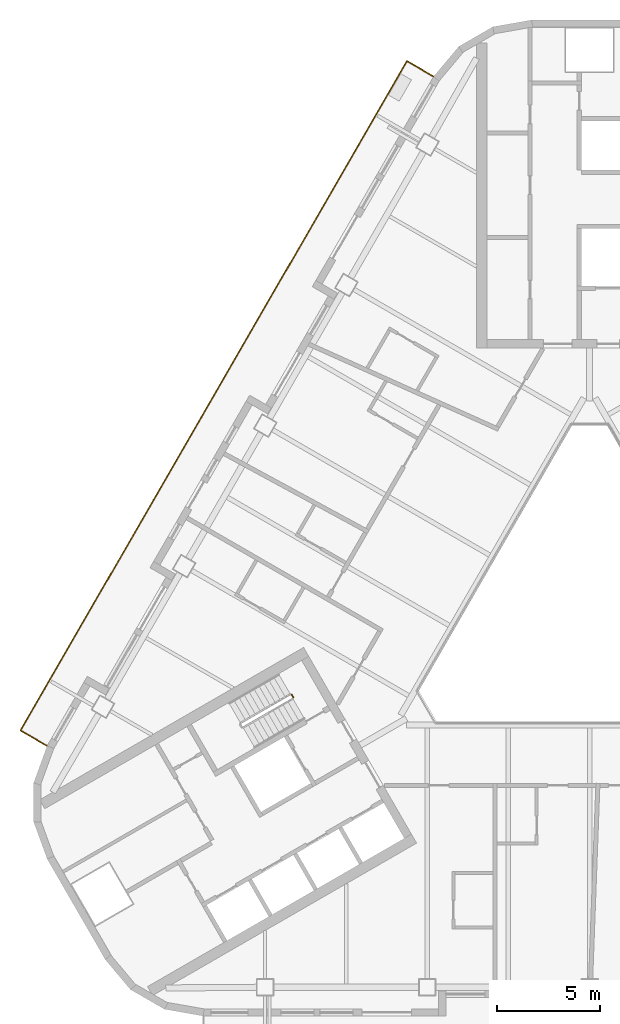
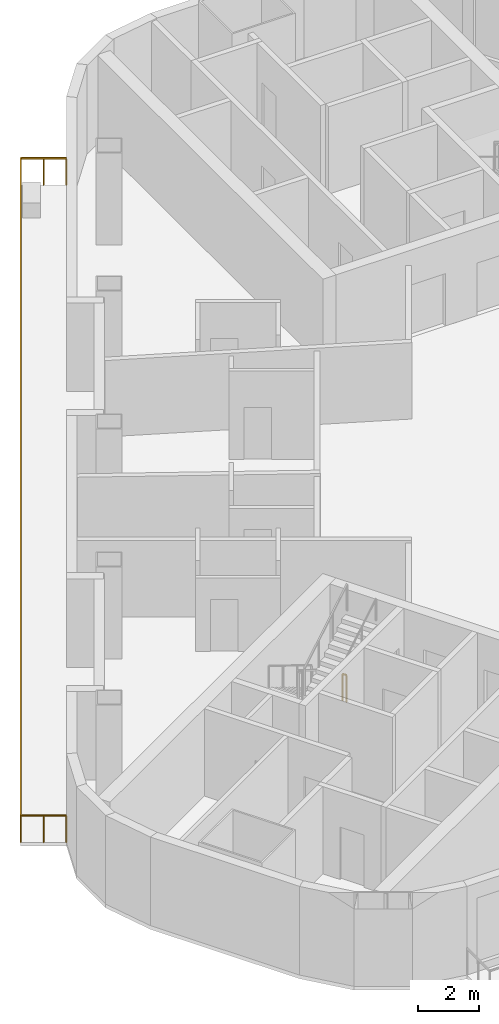
# One storey, part 11 of 14: 2 railings.
"""IFC4 building model written with IfcOpenShell, lengths in metres."""

from ifc_helpers import new_model, si_unit, direction, frame, origin, origin_2d, place, context, subcontext, project, spatial, rectangle, extrude, material, type_object, element, save


model = new_model("IFC4")

# Units and contexts
model_context = context("Model", 3, precision=1e-05, world=origin(), true_north=direction((0.0, 1.0)))
body_context = subcontext(model_context, "Body", "Model", "MODEL_VIEW")
ifc_project = project(units=[si_unit("LENGTHUNIT", "METRE"), si_unit("AREAUNIT", "SQUARE_METRE"), si_unit("VOLUMEUNIT", "CUBIC_METRE"), si_unit("PLANEANGLEUNIT", "RADIAN"), si_unit("MASSUNIT", "GRAM", prefix="KILO")], contexts=[model_context])

# Site, building, storey
site_placement = place(None, origin())
site = spatial("IfcSite", under=ifc_project, at=site_placement, CompositionType="ELEMENT")
building_placement = place(site_placement, origin())
building = spatial("IfcBuilding", under=site, at=building_placement, Name="Apuvela Tower Hotel", CompositionType="ELEMENT")
storey_placement = place(building_placement, frame((0.0, 0.0, 157.699951171875)))
storey = spatial("IfcBuildingStorey", under=building, at=storey_placement, Name="L37", CompositionType="ELEMENT", Elevation=157.699951171875)

# Railings
ifc_material_1 = material(Name="Steel S275 balustrade", Category="steel")
railing_type_1 = type_object("IfcRailingType", Name="COR-GUARD-1100", PredefinedType="GUARDRAIL", material=ifc_material_1)
railing_1_placement = place(storey_placement, frame((-14.500732421875, -3.984130859375, 0.0)))
element("IfcRailing", 1, at=railing_1_placement, inside=storey, type_object=railing_type_1, Name="L37 ST2 stair guard 4", PredefinedType="GUARDRAIL", context=body_context, shape_type="SweptSolid", body=[
    extrude(rectangle(XDim=0.048095703125, YDim=0.048095703125, at=origin_2d()), frame((0.0, 0.0, 1.076171875), z_axis=(0.499816412211, -0.866131372301, 0.0), x_axis=(0.866131372301, 0.499816412211, 0.0)), (0.0, 0.0, 1.0), 0.14990234375),
    extrude(rectangle(XDim=0.0419921875, YDim=0.0419921875, at=origin_2d()), origin(), (0.0, 0.0, 1.0), 1.052001953125),
    extrude(rectangle(XDim=0.0419921875, YDim=0.0419921875, at=origin_2d()), frame((0.074951171875, -0.1298828125, 0.0)), (0.0, 0.0, 1.0), 1.052001953125),
])
ifc_material_2 = material(Name="Stainless steel 316 rail with laminated glass infill", Category="steel")
railing_type_2 = type_object("IfcRailingType", Name="ENV-GUARD-1100", PredefinedType="GUARDRAIL", material=ifc_material_2)
railing_2_placement = place(storey_placement, frame((-7.59228515625, 26.110107421875, 0.0)))
element("IfcRailing", 2, at=railing_2_placement, inside=storey, type_object=railing_type_2, Name="Balcony guard NW L37", PredefinedType="GUARDRAIL", context=body_context, shape_type="SweptSolid", body=[
    extrude(rectangle(XDim=0.050048828125, YDim=0.050048828125, at=origin_2d()), frame((0.0, 0.0, 1.0751953125), z_axis=(-0.86599040064, 0.500060622324, 0.0), x_axis=(-0.500060622324, -0.86599040064, 0.0)), (0.0, 0.0, 1.0), 1.499755859375),
    extrude(rectangle(XDim=0.050048828125, YDim=0.050048828125, at=origin_2d()), frame((-1.298828125, 0.75, 1.0751953125), z_axis=(-0.500000437506, -0.86602515119, 0.0), x_axis=(0.86602515119, -0.500000437506, 0.0)), (0.0, 0.0, 1.0), 37.6318359375),
    extrude(rectangle(XDim=0.050048828125, YDim=0.050048828125, at=origin_2d()), frame((-20.11474609375, -31.840087890625, 1.0751953125), z_axis=(0.866031096941, -0.499990139034, 0.0), x_axis=(0.499990139034, 0.866031096941, 0.0)), (0.0, 0.0, 1.0), 1.5),
    extrude(rectangle(XDim=0.0400390625, YDim=0.0400390625, at=origin_2d()), origin(), (0.0, 0.0, 1.0), 1.050048828125),
    extrude(rectangle(XDim=0.0400390625, YDim=0.0400390625, at=origin_2d()), frame((-0.6494140625, 0.375, 0.0)), (0.0, 0.0, 1.0), 1.050048828125),
    extrude(rectangle(XDim=0.0400390625, YDim=0.0400390625, at=origin_2d()), frame((-1.298828125, 0.75, 0.0)), (0.0, 0.0, 1.0), 1.050048828125),
    extrude(rectangle(XDim=0.0400390625, YDim=0.0400390625, at=origin_2d()), frame((-1.88671875, -0.2685546875, 0.0)), (0.0, 0.0, 1.0), 1.050048828125),
    extrude(rectangle(XDim=0.0400390625, YDim=0.0400390625, at=origin_2d()), frame((-2.474853515625, -1.286865234375, 0.0)), (0.0, 0.0, 1.0), 1.050048828125),
    extrude(rectangle(XDim=0.0400390625, YDim=0.0400390625, at=origin_2d()), frame((-3.062744140625, -2.305419921875, 0.0)), (0.0, 0.0, 1.0), 1.050048828125),
    extrude(rectangle(XDim=0.0400390625, YDim=0.0400390625, at=origin_2d()), frame((-3.65087890625, -3.32373046875, 0.0)), (0.0, 0.0, 1.0), 1.050048828125),
    extrude(rectangle(XDim=0.0400390625, YDim=0.0400390625, at=origin_2d()), frame((-4.23876953125, -4.34228515625, 0.0)), (0.0, 0.0, 1.0), 1.050048828125),
    extrude(rectangle(XDim=0.0400390625, YDim=0.0400390625, at=origin_2d()), frame((-4.826904296875, -5.360595703125, 0.0)), (0.0, 0.0, 1.0), 1.050048828125),
    extrude(rectangle(XDim=0.0400390625, YDim=0.0400390625, at=origin_2d()), frame((-5.414794921875, -6.379150390625, 0.0)), (0.0, 0.0, 1.0), 1.050048828125),
    extrude(rectangle(XDim=0.0400390625, YDim=0.0400390625, at=origin_2d()), frame((-6.0029296875, -7.3974609375, 0.0)), (0.0, 0.0, 1.0), 1.050048828125),
    extrude(rectangle(XDim=0.0400390625, YDim=0.0400390625, at=origin_2d()), frame((-6.5908203125, -8.416015625, 0.0)), (0.0, 0.0, 1.0), 1.050048828125),
    extrude(rectangle(XDim=0.0400390625, YDim=0.0400390625, at=origin_2d()), frame((-7.1787109375, -9.434326171875, 0.0)), (0.0, 0.0, 1.0), 1.050048828125),
    extrude(rectangle(XDim=0.0400390625, YDim=0.0400390625, at=origin_2d()), frame((-7.766845703125, -10.452880859375, 0.0)), (0.0, 0.0, 1.0), 1.050048828125),
    extrude(rectangle(XDim=0.0400390625, YDim=0.0400390625, at=origin_2d()), frame((-8.354736328125, -11.47119140625, 0.0)), (0.0, 0.0, 1.0), 1.050048828125),
    extrude(rectangle(XDim=0.0400390625, YDim=0.0400390625, at=origin_2d()), frame((-8.94287109375, -12.48974609375, 0.0)), (0.0, 0.0, 1.0), 1.050048828125),
    extrude(rectangle(XDim=0.0400390625, YDim=0.0400390625, at=origin_2d()), frame((-9.53076171875, -13.508056640625, 0.0)), (0.0, 0.0, 1.0), 1.050048828125),
    extrude(rectangle(XDim=0.0400390625, YDim=0.0400390625, at=origin_2d()), frame((-10.118896484375, -14.526611328125, 0.0)), (0.0, 0.0, 1.0), 1.050048828125),
    extrude(rectangle(XDim=0.0400390625, YDim=0.0400390625, at=origin_2d()), frame((-10.706787109375, -15.544921875, 0.0)), (0.0, 0.0, 1.0), 1.050048828125),
    extrude(rectangle(XDim=0.0400390625, YDim=0.0400390625, at=origin_2d()), frame((-11.294677734375, -16.5634765625, 0.0)), (0.0, 0.0, 1.0), 1.050048828125),
    extrude(rectangle(XDim=0.0400390625, YDim=0.0400390625, at=origin_2d()), frame((-11.8828125, -17.58203125, 0.0)), (0.0, 0.0, 1.0), 1.050048828125),
    extrude(rectangle(XDim=0.0400390625, YDim=0.0400390625, at=origin_2d()), frame((-12.470703125, -18.600341796875, 0.0)), (0.0, 0.0, 1.0), 1.050048828125),
    extrude(rectangle(XDim=0.0400390625, YDim=0.0400390625, at=origin_2d()), frame((-13.058837890625, -19.618896484375, 0.0)), (0.0, 0.0, 1.0), 1.050048828125),
    extrude(rectangle(XDim=0.0400390625, YDim=0.0400390625, at=origin_2d()), frame((-13.646728515625, -20.63720703125, 0.0)), (0.0, 0.0, 1.0), 1.050048828125),
    extrude(rectangle(XDim=0.0400390625, YDim=0.0400390625, at=origin_2d()), frame((-14.23486328125, -21.65576171875, 0.0)), (0.0, 0.0, 1.0), 1.050048828125),
    extrude(rectangle(XDim=0.0400390625, YDim=0.0400390625, at=origin_2d()), frame((-14.82275390625, -22.674072265625, 0.0)), (0.0, 0.0, 1.0), 1.050048828125),
    extrude(rectangle(XDim=0.0400390625, YDim=0.0400390625, at=origin_2d()), frame((-15.41064453125, -23.692626953125, 0.0)), (0.0, 0.0, 1.0), 1.050048828125),
    extrude(rectangle(XDim=0.0400390625, YDim=0.0400390625, at=origin_2d()), frame((-15.998779296875, -24.7109375, 0.0)), (0.0, 0.0, 1.0), 1.050048828125),
    extrude(rectangle(XDim=0.0400390625, YDim=0.0400390625, at=origin_2d()), frame((-16.586669921875, -25.7294921875, 0.0)), (0.0, 0.0, 1.0), 1.050048828125),
    extrude(rectangle(XDim=0.0400390625, YDim=0.0400390625, at=origin_2d()), frame((-17.1748046875, -26.747802734375, 0.0)), (0.0, 0.0, 1.0), 1.050048828125),
    extrude(rectangle(XDim=0.0400390625, YDim=0.0400390625, at=origin_2d()), frame((-17.7626953125, -27.766357421875, 0.0)), (0.0, 0.0, 1.0), 1.050048828125),
    extrude(rectangle(XDim=0.0400390625, YDim=0.0400390625, at=origin_2d()), frame((-18.350830078125, -28.78466796875, 0.0)), (0.0, 0.0, 1.0), 1.050048828125),
    extrude(rectangle(XDim=0.0400390625, YDim=0.0400390625, at=origin_2d()), frame((-18.938720703125, -29.80322265625, 0.0)), (0.0, 0.0, 1.0), 1.050048828125),
    extrude(rectangle(XDim=0.0400390625, YDim=0.0400390625, at=origin_2d()), frame((-19.52685546875, -30.821533203125, 0.0)), (0.0, 0.0, 1.0), 1.050048828125),
    extrude(rectangle(XDim=0.0400390625, YDim=0.0400390625, at=origin_2d()), frame((-20.11474609375, -31.840087890625, 0.0)), (0.0, 0.0, 1.0), 1.050048828125),
    extrude(rectangle(XDim=0.0400390625, YDim=0.0400390625, at=origin_2d()), frame((-19.46533203125, -32.215087890625, 0.0)), (0.0, 0.0, 1.0), 1.050048828125),
    extrude(rectangle(XDim=0.0400390625, YDim=0.0400390625, at=origin_2d()), frame((-18.815673828125, -32.590087890625, 0.0)), (0.0, 0.0, 1.0), 1.050048828125),
])

save(model, "model.ifc")
